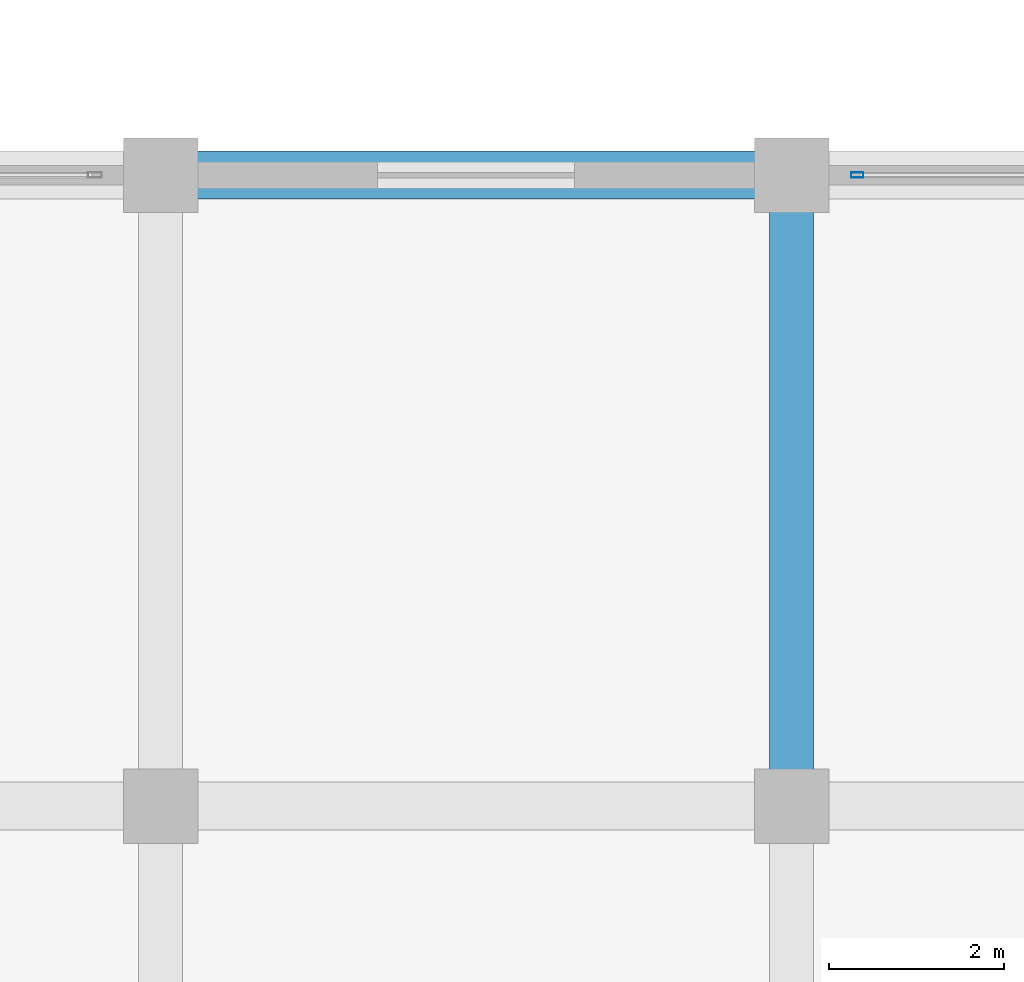
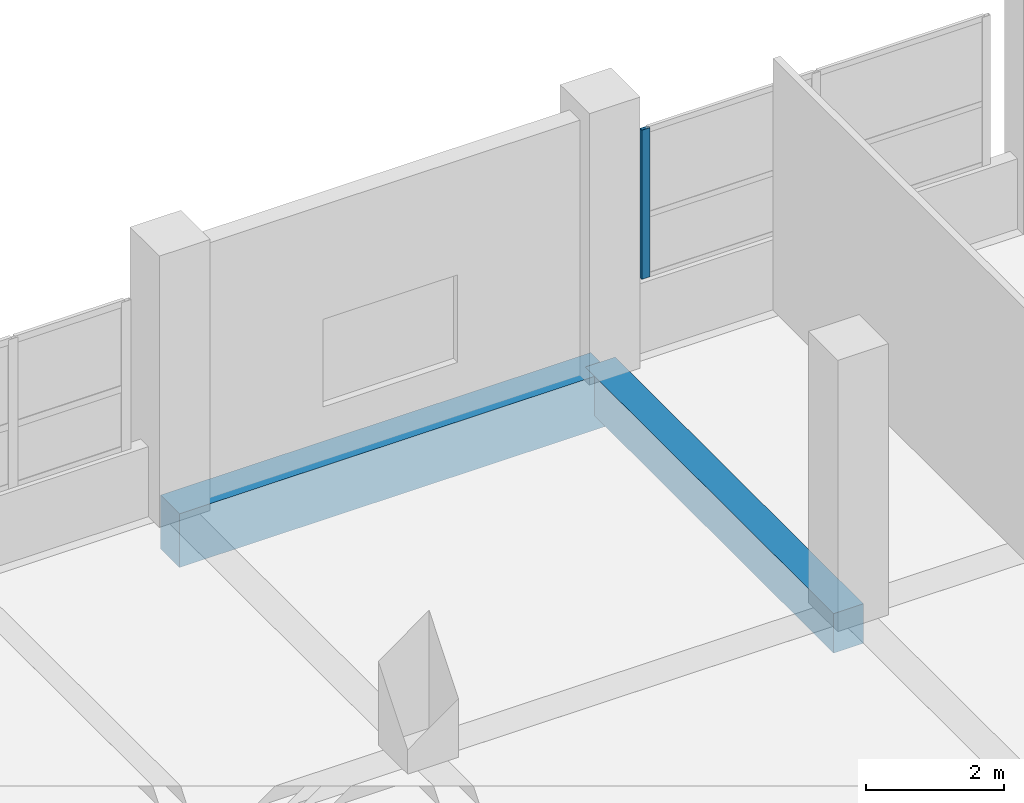
# One storey, part 55 of 181: 2 beams, 1 member, 1 element without a shape of its own.
"""IFC4 building model written with IfcOpenShell, lengths in metres."""

import ifcopenshell
import ifcopenshell.guid

model = None  # the IFC model being written
_history = None  # IfcOwnerHistory: only IFC2X3 demands one
_inside = {}  # id of a spatial element -> (the spatial element, [elements in it])
_under = {}  # id of a project, library or spatial element -> (it, [spatial elements below it])
_declared = {}  # id of a project -> (the project, [libraries it declares])
_typed = {}  # id of a type object -> (the type object, [elements of that type])
_made_of = {}  # id of a material, layer set ... -> (it, [elements and type objects made of it])


def new_model(schema):
    """Start an empty IFC model of exactly this schema.

    Asked for "IFC4X3", IfcOpenShell would pick the latest addendum, in which some entities
    have other attributes; the version numbers below select the first issue.
    IFC2X3 requires an IfcOwnerHistory on every rooted entity: one is made here for all.
    """
    global model, _history
    if schema == "IFC4X3":
        model = ifcopenshell.file(schema_version=(4, 3, 0, 0))
    else:
        model = ifcopenshell.file(schema=schema)
    _inside.clear()
    _under.clear()
    _declared.clear()
    _typed.clear()
    _made_of.clear()
    _history = None
    if model.schema == "IFC2X3":
        org = make("IfcOrganization", Name="unknown")
        user = make(
            "IfcPersonAndOrganization",
            ThePerson=make("IfcPerson", FamilyName="unknown"),
            TheOrganization=org,
        )
        app = make(
            "IfcApplication",
            ApplicationDeveloper=org,
            Version="unknown",
            ApplicationFullName="unknown",
            ApplicationIdentifier="unknown",
        )
        _history = make(
            "IfcOwnerHistory",
            OwningUser=user,
            OwningApplication=app,
            ChangeAction="ADDED",
            CreationDate=0,
        )
    return model


def make(cls, **values):
    """One entity of the class cls with the attributes given. An attribute that is None is left unset."""
    return model.create_entity(
        cls, **{name: value for name, value in values.items() if value is not None}
    )


def rooted(cls, **values):
    """An entity with a GlobalId (a new one), such as an element, a storey or a relation."""
    return make(cls, GlobalId=ifcopenshell.guid.new(), OwnerHistory=_history, **values)


def si_unit(unit_type, name, prefix=None):
    """IfcSIUnit, for example si_unit("LENGTHUNIT", "METRE", prefix="MILLI")."""
    return make("IfcSIUnit", UnitType=unit_type, Prefix=prefix, Name=name)


def assignment(units):
    """IfcUnitAssignment: the units of a project."""
    return None if units is None else make("IfcUnitAssignment", Units=units)


def point(xyz):
    """IfcCartesianPoint."""
    return None if xyz is None else make("IfcCartesianPoint", Coordinates=xyz)


def direction(xyz):
    """IfcDirection."""
    return None if xyz is None else make("IfcDirection", DirectionRatios=xyz)


def frame(location, z_axis=None, x_axis=None):
    """IfcAxis2Placement3D, a coordinate frame: its origin and axes. An axis left out is left unset."""
    return make(
        "IfcAxis2Placement3D",
        Location=point(location),
        Axis=direction(z_axis),
        RefDirection=direction(x_axis),
    )


def frame_2d(location, x_axis=None):
    """IfcAxis2Placement2D, a coordinate frame in the plane: its origin and x axis."""
    return make(
        "IfcAxis2Placement2D", Location=point(location), RefDirection=direction(x_axis)
    )


def origin():
    """The frame at (0, 0, 0) with its axes left unset."""
    return frame((0.0, 0.0, 0.0))


def origin_2d():
    """The frame at (0, 0) in the plane with its x axis left unset."""
    return frame_2d((0.0, 0.0))


def place(relative_to, where):
    """IfcLocalPlacement: puts the frame where relative to a parent placement (None: the world)."""
    return make(
        "IfcLocalPlacement", PlacementRelTo=relative_to, RelativePlacement=where
    )


def context(
    kind, dimensions, precision=None, world=None, true_north=None, identifier=None
):
    """IfcGeometricRepresentationContext, for example the 3D "Model" context."""
    return make(
        "IfcGeometricRepresentationContext",
        ContextIdentifier=identifier,
        ContextType=kind,
        CoordinateSpaceDimension=dimensions,
        Precision=precision,
        WorldCoordinateSystem=world,
        TrueNorth=true_north,
    )


def subcontext(parent, identifier, kind, view, scale=None):
    """IfcGeometricRepresentationSubContext, for example "Body" below "Model"."""
    return make(
        "IfcGeometricRepresentationSubContext",
        ContextIdentifier=identifier,
        ContextType=kind,
        ParentContext=parent,
        TargetScale=scale,
        TargetView=view,
    )


def project(units=None, contexts=None):
    """IfcProject with its units and contexts."""
    return rooted(
        "IfcProject",
        Name="project",
        RepresentationContexts=contexts,
        UnitsInContext=assignment(units),
    )


def spatial(cls, under=None, at=None, **own):
    """A site, building, storey or space (cls), placed at a placement, below another one or the project."""
    s = rooted(cls, ObjectPlacement=at, **own)
    if under is not None:
        _under.setdefault(under.id(), (under, []))[1].append(s)
    return s


def profile(cls, at=None, kind="AREA", **sizes):
    """A parametric profile (cls). Its sizes go by their IFC names, for example OverallWidth=200.0."""
    return make(cls, ProfileType=kind, Position=at, **sizes)


def rectangle(**sizes):
    """IfcRectangleProfileDef."""
    return profile("IfcRectangleProfileDef", **sizes)


def hollow_rectangle(**sizes):
    """IfcRectangleHollowProfileDef."""
    return profile("IfcRectangleHollowProfileDef", **sizes)


def extrude(swept, where, along, depth):
    """IfcExtrudedAreaSolid: the profile swept, set in the frame where, extruded along a direction by depth."""
    return make(
        "IfcExtrudedAreaSolid",
        SweptArea=swept,
        Position=where,
        ExtrudedDirection=direction(along),
        Depth=depth,
    )


def shape(context_of_items, identifier, shape_type, items):
    """IfcShapeRepresentation: the items that make up one representation, for example the "Body"."""
    return make(
        "IfcShapeRepresentation",
        ContextOfItems=context_of_items,
        RepresentationIdentifier=identifier,
        RepresentationType=shape_type,
        Items=items,
    )


def material(Name=None, Category=None):
    """IfcMaterial."""
    return make("IfcMaterial", Name=Name, Category=Category)


def layer(
    of_material, thickness, ventilated=None, Name=None, Category=None, Priority=None
):
    """IfcMaterialLayer: one layer of a wall or slab, of a material (None: an air gap)."""
    return make(
        "IfcMaterialLayer",
        Material=of_material,
        LayerThickness=thickness,
        IsVentilated=ventilated,
        Name=Name,
        Category=Category,
        Priority=Priority,
    )


def layer_set(layers, Name=None):
    """IfcMaterialLayerSet."""
    return make("IfcMaterialLayerSet", MaterialLayers=layers, LayerSetName=Name)


def material_profile(
    of_material, cross_section, Name=None, Category=None, Priority=None
):
    """IfcMaterialProfile: a cross section and its material."""
    return make(
        "IfcMaterialProfile",
        Name=Name,
        Material=of_material,
        Profile=cross_section,
        Priority=Priority,
        Category=Category,
    )


def profile_set(profiles, Name=None, composite=None):
    """IfcMaterialProfileSet."""
    return make(
        "IfcMaterialProfileSet",
        Name=Name,
        MaterialProfiles=profiles,
        CompositeProfile=composite,
    )


def made_of(thing, what):
    """Note that an element or type object is made of a material, layer set ...; save() writes the relation."""
    if what is not None:
        _made_of.setdefault(what.id(), (what, []))[1].append(thing)
    return thing


def type_object(cls, material=None, **own):
    """A type object (cls), such as IfcWallType, which elements share."""
    return made_of(rooted(cls, **own), material)


def element(
    cls,
    number,
    at=None,
    inside=None,
    cuts=None,
    type_object=None,
    material=None,
    context=None,
    identifier="Body",
    shape_type=None,
    held_by="IfcProductDefinitionShape",
    body=None,
    shapes=None,
    **own,
):
    """One element of the class cls, such as IfcWall. Its Tag is "e" and its number.

    at: its placement. inside: the storey or other place that contains it. cuts: it is an
    opening in that element (IfcRelVoidsElement). A single representation is given by context,
    identifier, shape_type and body (its items); several are given by shapes. held_by: the class
    of the entity that holds the representations. save() writes the other relations.
    """
    e = rooted(cls, Tag="e%d" % number, ObjectPlacement=at, **own)
    if body is not None:
        shapes = [shape(context, identifier, shape_type, body)]
    if shapes is not None:
        e.Representation = make(held_by, Representations=shapes)
    if inside is not None:
        _inside.setdefault(inside.id(), (inside, []))[1].append(e)
    if cuts is not None:
        rooted(
            "IfcRelVoidsElement", RelatingBuildingElement=cuts, RelatedOpeningElement=e
        )
    if type_object is not None:
        _typed.setdefault(type_object.id(), (type_object, []))[1].append(e)
    return made_of(e, material)


def aggregate(whole, parts):
    """IfcRelAggregates: a whole, such as a stair, and the parts it consists of."""
    return rooted("IfcRelAggregates", RelatingObject=whole, RelatedObjects=parts)


def save(model, path):
    """Write the relations noted so far, then the file.

    IfcRelAggregates (storeys below a building ...), IfcRelContainedInSpatialStructure (elements
    in a storey), IfcRelDefinesByType, IfcRelAssociatesMaterial and IfcRelDeclares: one each for
    every whole, place, type object, material and project.
    """
    for whole, parts in _under.values():
        aggregate(whole, parts)
    for where, things in _inside.values():
        rooted(
            "IfcRelContainedInSpatialStructure",
            RelatedElements=things,
            RelatingStructure=where,
        )
    for kind, things in _typed.values():
        rooted("IfcRelDefinesByType", RelatedObjects=things, RelatingType=kind)
    for what, things in _made_of.values():
        rooted("IfcRelAssociatesMaterial", RelatedObjects=things, RelatingMaterial=what)
    for by, libraries in _declared.values():
        rooted("IfcRelDeclares", RelatingContext=by, RelatedDefinitions=libraries)
    model.write(path)


model = new_model("IFC4")

# Units and contexts
model_context = context("Model", 3, precision=1e-05, world=origin(), true_north=direction((0.0, 1.0)))
body_context = subcontext(model_context, "Body", "Model", "MODEL_VIEW")
ifc_project = project(units=[si_unit("LENGTHUNIT", "METRE"), si_unit("AREAUNIT", "SQUARE_METRE"), si_unit("VOLUMEUNIT", "CUBIC_METRE"), si_unit("PLANEANGLEUNIT", "RADIAN"), si_unit("MASSUNIT", "GRAM", prefix="KILO")], contexts=[model_context])

# Site, building, storey
site_placement = place(None, origin())
site = spatial("IfcSite", under=ifc_project, at=site_placement, CompositionType="ELEMENT")
building_placement = place(site_placement, origin())
building = spatial("IfcBuilding", under=site, at=building_placement, Name="Seraya Terrace Polytechnic", CompositionType="ELEMENT")
storey_placement = place(building_placement, frame((0.0, 0.0, 4.800048828125)))
storey = spatial("IfcBuildingStorey", under=building, at=storey_placement, Name="L01", CompositionType="ELEMENT", Elevation=4.800048828125)

# Beams
ifc_material_1 = material(Name="Concrete C40/50", Category="concrete")
ifc_material_profile_1 = material_profile(ifc_material_1, rectangle(XDim=0.550048828125, YDim=0.949951171875, at=origin_2d()), Name="RC 550x950")
ifc_profile_set_1 = profile_set([ifc_material_profile_1], Name="Concrete C40/50")
beam_type_1 = type_object("IfcBeamType", Name="BM-03", PredefinedType="BEAM", material=ifc_profile_set_1)
beam_1_placement = place(storey_placement, frame((115.199951171875, 36.0, -0.47509765625), z_axis=(1.0, 0.0, 0.0), x_axis=(0.0, 1.0, 0.0)))
element("IfcBeam", 1, at=beam_1_placement, inside=storey, type_object=beam_type_1, Name="Beam BM-03 L01 X (115.2..122.4, 36.0)", PredefinedType="BEAM", context=body_context, shape_type="SweptSolid", body=[
    extrude(rectangle(XDim=0.550048828125, YDim=0.949951171875, at=origin_2d()), origin(), (0.0, 0.0, 1.0), 7.199951171875),
])
ifc_material_profile_2 = material_profile(ifc_material_1, rectangle(XDim=0.5, YDim=0.699951171875, at=origin_2d()), Name="RC 500x700")
ifc_profile_set_2 = profile_set([ifc_material_profile_2], Name="Concrete C40/50")
beam_type_2 = type_object("IfcBeamType", Name="BM-07", PredefinedType="BEAM", material=ifc_profile_set_2)
beam_2_placement = place(storey_placement, frame((122.39990234375, 28.800048828125, -0.35009765625), z_axis=(0.0, 1.0, 0.0), x_axis=(-1.0, 0.0, 0.0)))
element("IfcBeam", 2, at=beam_2_placement, inside=storey, type_object=beam_type_2, Name="Beam BM-07 L01 Y (122.4, 28.8..36.0)", PredefinedType="BEAM", context=body_context, shape_type="SweptSolid", body=[
    extrude(rectangle(XDim=0.5, YDim=0.699951171875, at=origin_2d()), origin(), (0.0, 0.0, 1.0), 7.199951171875),
])

# Curtain wall, member
ifc_material_2 = material(Name="Anodised aluminium EN AW-6063 T6", Category="aluminium")
ifc_layer = layer(ifc_material_2, 0.179931640625, Name="CW-18")
ifc_layer_set = layer_set([ifc_layer], Name="Anodised aluminium EN AW-6063 T6")
curtain_wall_type = type_object("IfcCurtainWallType", Name="CW-18", PredefinedType="NOTDEFINED", material=ifc_layer_set)
curtain_wall_placement = place(storey_placement, origin())
curtain_wall = element("IfcCurtainWall", 3, at=curtain_wall_placement, inside=storey, type_object=curtain_wall_type, Name="Unitised curtain wall CW-18 (CW-L01-054)", PredefinedType="NOTDEFINED")
ifc_material_profile_3 = material_profile(ifc_material_2, hollow_rectangle(XDim=0.06005859375, YDim=0.139892578125, WallThickness=0.00341796875, at=origin_2d()), Name="RHS 140x60x3.5")
ifc_profile_set_3 = profile_set([ifc_material_profile_3], Name="Anodised aluminium EN AW-6063 T6")
member_type = type_object("IfcMemberType", Name="CWM-03", PredefinedType="MULLION", material=ifc_profile_set_3)
member_placement = place(storey_placement, frame((123.14990234375, 36.0, 1.239990234375), z_axis=(0.0, 0.0, 1.0), x_axis=(0.0, 1.0, 0.0)))
member = element("IfcMember", 4, at=member_placement, type_object=member_type, Name="CW-18 mullion 1", PredefinedType="MULLION", context=body_context, shape_type="SweptSolid", body=[
    extrude(hollow_rectangle(XDim=0.06005859375, YDim=0.139892578125, WallThickness=0.00341796875, at=origin_2d()), origin(), (0.0, 0.0, 1.0), 2.639892578125),
])
aggregate(curtain_wall, [member])

save(model, "model.ifc")
